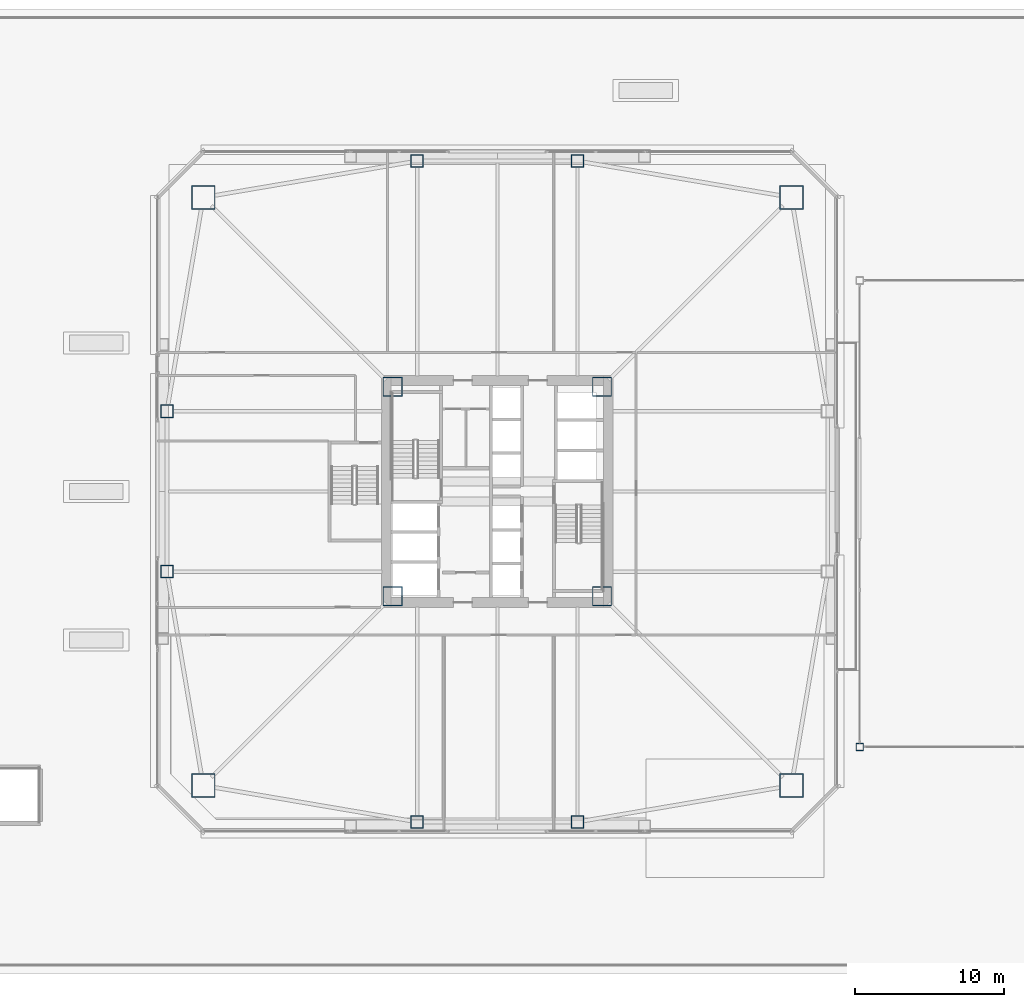
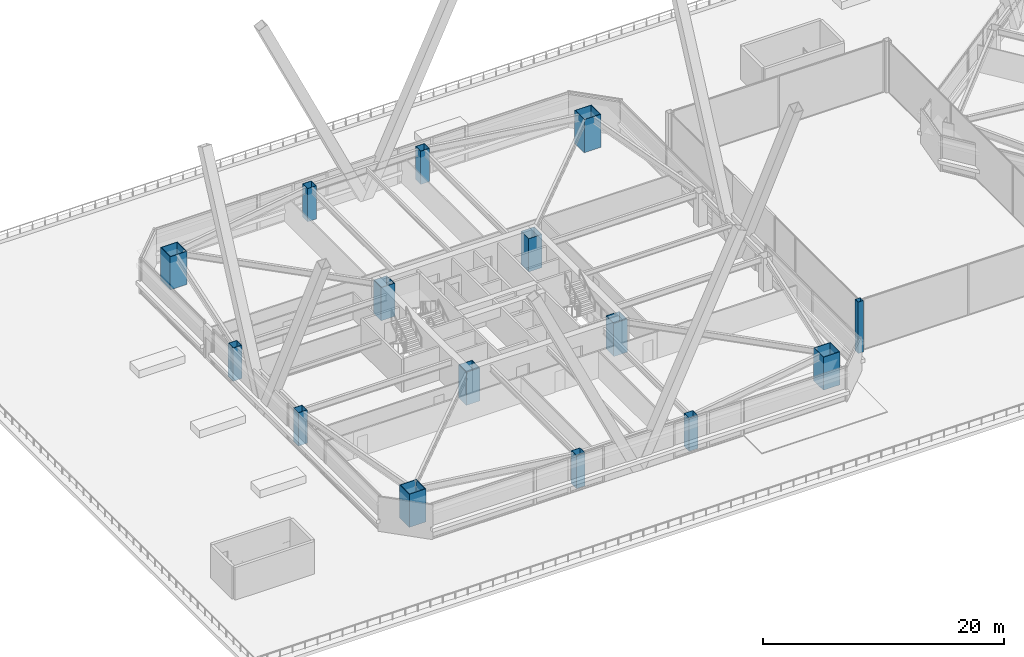
# One storey, part 1 of 83: 15 columns.
"""IFC4 building model written with IfcOpenShell, lengths in metres."""

from ifc_helpers import new_model, si_unit, direction, frame, origin, origin_2d, place, context, subcontext, project, spatial, hollow_rectangle, extrude, material, material_profile, profile_set, type_object, element, save


model = new_model("IFC4")

# Units and contexts
model_context = context("Model", 3, precision=1e-05, world=origin(), true_north=direction((0.0, 1.0)))
body_context = subcontext(model_context, "Body", "Model", "MODEL_VIEW")
ifc_project = project(units=[si_unit("LENGTHUNIT", "METRE"), si_unit("AREAUNIT", "SQUARE_METRE"), si_unit("VOLUMEUNIT", "CUBIC_METRE"), si_unit("PLANEANGLEUNIT", "RADIAN"), si_unit("MASSUNIT", "GRAM", prefix="KILO")], contexts=[model_context])

# Site, building, storey
site_placement = place(None, origin())
site = spatial("IfcSite", under=ifc_project, at=site_placement, CompositionType="ELEMENT")
building_placement = place(site_placement, origin())
building = spatial("IfcBuilding", under=site, at=building_placement, Name="Tashvorn Skyway Center", CompositionType="ELEMENT")
storey_placement = place(building_placement, frame((0.0, 0.0, 24.60009765625)))
storey = spatial("IfcBuildingStorey", under=building, at=storey_placement, Name="L05", CompositionType="ELEMENT", Elevation=24.60009765625)

# Columns
ifc_material = material(Name="Steel ASTM A572 Grade 50", Category="steel")
ifc_material_profile_1 = material_profile(ifc_material, hollow_rectangle(XDim=1.300048828125, YDim=1.300048828125, WallThickness=0.050048828125, at=origin_2d()), Name="BOX1300x1300x50")
ifc_profile_set_1 = profile_set([ifc_material_profile_1], Name="Steel ASTM A572 Grade 50")
column_type_1 = type_object("IfcColumnType", Name="COL-BOX1300x1300x50", PredefinedType="COLUMN", material=ifc_profile_set_1)
for number, where, z_axis, x_axis, name in (
    (1, (34.949951171875, 24.949951171875, 0.0), (0.0, 0.0, 1.0), (1.0, 0.0, 0.0), "Tower 1 L05 Core Corner Column CC-SW"),
    (2, (49.050048828125, 24.949951171875, 0.0), (0.0, 0.0, 1.0), (1.0, 0.0, 0.0), "Tower 1 L05 Core Corner Column CC-SE"),
    (3, (49.050048828125, 39.050048828125, 0.0), (0.0, 0.0, 1.0), (1.0, 0.0, 0.0), "Tower 1 L05 Core Corner Column CC-NE"),
    (4, (34.949951171875, 39.050048828125, 0.0), (0.0, 0.0, 1.0), (1.0, 0.0, 0.0), "Tower 1 L05 Core Corner Column CC-NW"),
):
    element("IfcColumn", number, at=place(storey_placement, frame(where, z_axis=z_axis, x_axis=x_axis)), inside=storey, type_object=column_type_1, Name=name, PredefinedType="COLUMN", context=body_context, shape_type="SweptSolid", body=[
        extrude(hollow_rectangle(XDim=1.300048828125, YDim=1.300048828125, WallThickness=0.050048828125, at=origin_2d()), origin(), (0.0, 0.0, 1.0), 3.349853515625),
    ])
ifc_material_profile_2 = material_profile(ifc_material, hollow_rectangle(XDim=1.60009765625, YDim=1.60009765625, WallThickness=0.06005859375, at=origin_2d()), Name="BOX1600x1600x60")
ifc_profile_set_2 = profile_set([ifc_material_profile_2], Name="Steel ASTM A572 Grade 50")
column_type_2 = type_object("IfcColumnType", Name="COL-BOX1600x1600x60", PredefinedType="COLUMN", material=ifc_profile_set_2)
for number, where, z_axis, x_axis, name in (
    (5, (22.199951171875, 12.199951171875, 0.0), (0.0, 0.0, 1.0), (1.0, 0.0, 0.0), "Tower 1 L05 Mega-Column MC-SW"),
    (6, (61.800048828125, 12.199951171875, 0.0), (0.0, 0.0, 1.0), (1.0, 0.0, 0.0), "Tower 1 L05 Mega-Column MC-SE"),
    (7, (61.800048828125, 51.800048828125, 0.0), (0.0, 0.0, 1.0), (1.0, 0.0, 0.0), "Tower 1 L05 Mega-Column MC-NE"),
    (8, (22.199951171875, 51.800048828125, 0.0), (0.0, 0.0, 1.0), (1.0, 0.0, 0.0), "Tower 1 L05 Mega-Column MC-NW"),
):
    element("IfcColumn", number, at=place(storey_placement, frame(where, z_axis=z_axis, x_axis=x_axis)), inside=storey, type_object=column_type_2, Name=name, PredefinedType="COLUMN", context=body_context, shape_type="SweptSolid", body=[
        extrude(hollow_rectangle(XDim=1.60009765625, YDim=1.60009765625, WallThickness=0.06005859375, at=origin_2d()), origin(), (0.0, 0.0, 1.0), 3.349853515625),
    ])
ifc_material_profile_3 = material_profile(ifc_material, hollow_rectangle(XDim=0.85009765625, YDim=0.85009765625, WallThickness=0.034912109375, at=origin_2d()), Name="BOX850x850x35")
ifc_profile_set_3 = profile_set([ifc_material_profile_3], Name="Steel ASTM A572 Grade 50")
column_type_3 = type_object("IfcColumnType", Name="COL-BOX850x850x35", PredefinedType="COLUMN", material=ifc_profile_set_3)
for number, where, z_axis, x_axis, name in (
    (9, (36.60009765625, 9.75, 0.0), (0.0, 0.0, 1.0), (1.0, 0.0, 0.0), "Tower 1 L05 Perimeter Column FC-S1"),
    (10, (47.39990234375, 9.75, 0.0), (0.0, 0.0, 1.0), (1.0, 0.0, 0.0), "Tower 1 L05 Perimeter Column FC-S2"),
    (11, (47.39990234375, 54.25, 0.0), (0.0, 0.0, 1.0), (1.0, 0.0, 0.0), "Tower 1 L05 Perimeter Column FC-N1"),
    (12, (36.60009765625, 54.25, 0.0), (0.0, 0.0, 1.0), (1.0, 0.0, 0.0), "Tower 1 L05 Perimeter Column FC-N2"),
    (13, (19.75, 37.39990234375, 0.0), (0.0, 0.0, 1.0), (1.0, 0.0, 0.0), "Tower 1 L05 Perimeter Column FC-W1"),
    (14, (19.75, 26.60009765625, 0.0), (0.0, 0.0, 1.0), (1.0, 0.0, 0.0), "Tower 1 L05 Perimeter Column FC-W2"),
):
    element("IfcColumn", number, at=place(storey_placement, frame(where, z_axis=z_axis, x_axis=x_axis)), inside=storey, type_object=column_type_3, Name=name, PredefinedType="COLUMN", context=body_context, shape_type="SweptSolid", body=[
        extrude(hollow_rectangle(XDim=0.85009765625, YDim=0.85009765625, WallThickness=0.034912109375, at=origin_2d()), origin(), (0.0, 0.0, 1.0), 3.349853515625),
    ])
ifc_material_profile_4 = material_profile(ifc_material, hollow_rectangle(XDim=0.5, YDim=0.5, WallThickness=0.02001953125, at=origin_2d()), Name="HSS500x500x20")
ifc_profile_set_4 = profile_set([ifc_material_profile_4], Name="Steel ASTM A572 Grade 50")
column_type_4 = type_object("IfcColumnType", Name="COL-HSS500x500x20", PredefinedType="COLUMN", material=ifc_profile_set_4)
column_placement = place(storey_placement, frame((66.39990234375, 14.800048828125, 0.0), z_axis=(0.0, 0.0, 1.0), x_axis=(1.0, 0.0, 0.0)))
element("IfcColumn", 15, at=column_placement, inside=storey, type_object=column_type_4, Name="Station Concourse Monitor Column 1-1", PredefinedType="COLUMN", context=body_context, shape_type="SweptSolid", body=[
    extrude(hollow_rectangle(XDim=0.5, YDim=0.5, WallThickness=0.02001953125, at=origin_2d()), origin(), (0.0, 0.0, 1.0), 5.199951171875),
])

save(model, "model.ifc")
